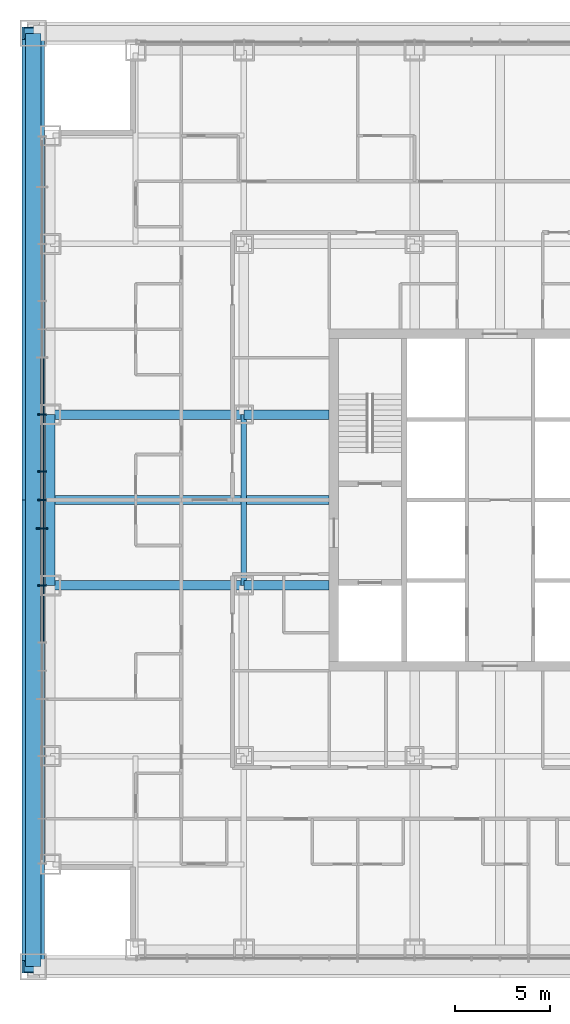
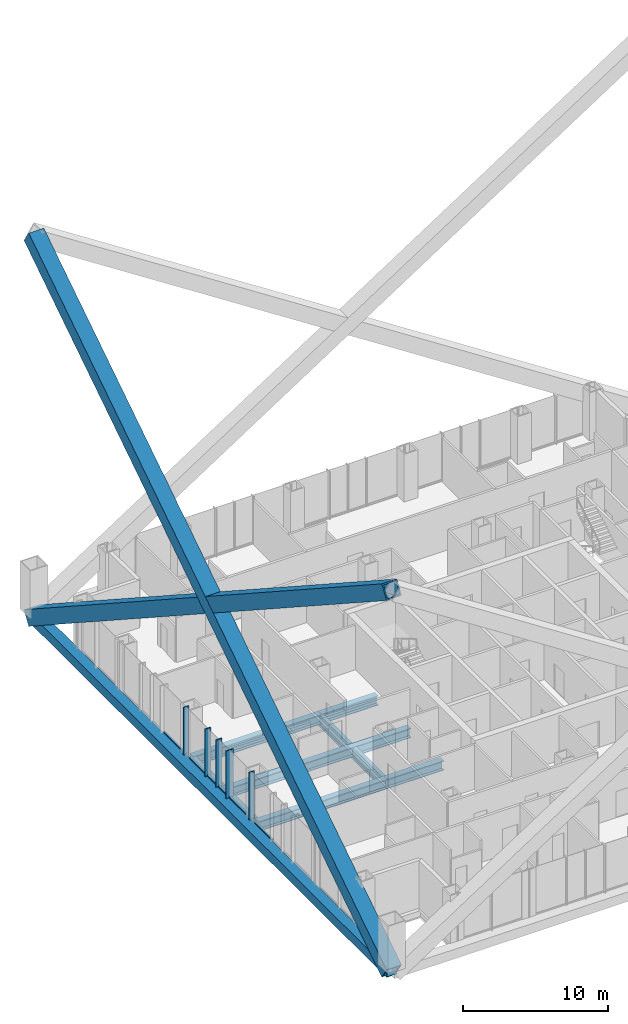
# One storey, part 4 of 21: 14 members, 7 beams, 1 element without a shape of its own.
"""IFC4 building model written with IfcOpenShell, lengths in metres."""

from ifc_helpers import new_model, si_unit, direction, frame, origin, origin_2d, place, context, subcontext, project, spatial, rectangle, hollow_rectangle, i_section, extrude, material, layer, layer_set, material_profile, profile_set, type_object, element, aggregate, save


model = new_model("IFC4")

# Units and contexts
model_context = context("Model", 3, precision=1e-05, world=origin(), true_north=direction((0.0, 1.0)))
body_context = subcontext(model_context, "Body", "Model", "MODEL_VIEW")
ifc_project = project(units=[si_unit("LENGTHUNIT", "METRE"), si_unit("AREAUNIT", "SQUARE_METRE"), si_unit("VOLUMEUNIT", "CUBIC_METRE"), si_unit("PLANEANGLEUNIT", "RADIAN"), si_unit("MASSUNIT", "GRAM", prefix="KILO")], contexts=[model_context])

# Site, building, storey
site_placement = place(None, origin())
site = spatial("IfcSite", under=ifc_project, at=site_placement, CompositionType="ELEMENT")
building_placement = place(site_placement, origin())
building = spatial("IfcBuilding", under=site, at=building_placement, Name="Malebo Sky Hospital", CompositionType="ELEMENT")
storey_placement = place(building_placement, frame((0.0, 0.0, 140.0)))
storey = spatial("IfcBuildingStorey", under=building, at=storey_placement, Name="L33", CompositionType="ELEMENT", Elevation=140.0)

# Curtain wall, members
ifc_material_1 = material(Name="Anodised aluminium, natural silver", Category="aluminium")
ifc_layer = layer(ifc_material_1, 0.25)
ifc_layer_set = layer_set([ifc_layer], Name="WARD CURTAIN WALL EAST AND WEST")
curtain_wall_type = type_object("IfcCurtainWallType", Name="WARD CURTAIN WALL EAST AND WEST", PredefinedType="NOTDEFINED", material=ifc_layer_set)
curtain_wall_placement = place(storey_placement, origin())
curtain_wall = element("IfcCurtainWall", 1, at=curtain_wall_placement, inside=storey, type_object=curtain_wall_type, Name="EW curtain wall W", PredefinedType="NOTDEFINED")
ifc_material_profile_1 = material_profile(ifc_material_1, rectangle(XDim=0.14990234375, YDim=0.10009765625, at=origin_2d()), Name="ALUMINIUM TRANSOM 150x100")
ifc_profile_set_1 = profile_set([ifc_material_profile_1], Name="Anodised aluminium, natural silver")
member_type_1 = type_object("IfcMemberType", Name="ALUMINIUM TRANSOM 150x100", PredefinedType="USERDEFINED", material=ifc_profile_set_1)
member_1_placement = place(storey_placement, frame((35.864990234375, 54.53759765625, 0.050048828125), z_axis=(0.0, 1.0, 0.0), x_axis=(-1.0, 0.0, 0.0)))
member_1 = element("IfcMember", 2, at=member_1_placement, type_object=member_type_1, Name="Transom 6", ObjectType="TRANSOM", PredefinedType="USERDEFINED", context=body_context, shape_type="SweptSolid", body=[
    extrude(rectangle(XDim=0.14990234375, YDim=0.10009765625, at=origin_2d()), origin(), (0.0, 0.0, 1.0), 2.9248046875),
])
member_2_placement = place(storey_placement, frame((35.864990234375, 57.53759765625, 0.050048828125), z_axis=(0.0, 1.0, 0.0), x_axis=(-1.0, 0.0, 0.0)))
member_2 = element("IfcMember", 3, at=member_2_placement, type_object=member_type_1, Name="Transom 7", ObjectType="TRANSOM", PredefinedType="USERDEFINED", context=body_context, shape_type="SweptSolid", body=[
    extrude(rectangle(XDim=0.14990234375, YDim=0.10009765625, at=origin_2d()), origin(), (0.0, 0.0, 1.0), 2.9248046875),
])
member_3_placement = place(storey_placement, frame((35.864990234375, 60.53759765625, 0.050048828125), z_axis=(0.0, 1.0, 0.0), x_axis=(-1.0, 0.0, 0.0)))
member_3 = element("IfcMember", 4, at=member_3_placement, type_object=member_type_1, Name="Transom 8", ObjectType="TRANSOM", PredefinedType="USERDEFINED", context=body_context, shape_type="SweptSolid", body=[
    extrude(rectangle(XDim=0.14990234375, YDim=0.10009765625, at=origin_2d()), origin(), (0.0, 0.0, 1.0), 1.4248046875),
])
member_4_placement = place(storey_placement, frame((35.864990234375, 62.03759765625, 0.050048828125), z_axis=(0.0, 1.0, 0.0), x_axis=(-1.0, 0.0, 0.0)))
member_4 = element("IfcMember", 5, at=member_4_placement, type_object=member_type_1, Name="Transom 9", ObjectType="TRANSOM", PredefinedType="USERDEFINED", context=body_context, shape_type="SweptSolid", body=[
    extrude(rectangle(XDim=0.14990234375, YDim=0.10009765625, at=origin_2d()), origin(), (0.0, 0.0, 1.0), 1.4248046875),
])
member_5_placement = place(storey_placement, frame((35.864990234375, 63.53759765625, 0.050048828125), z_axis=(0.0, 1.0, 0.0), x_axis=(-1.0, 0.0, 0.0)))
member_5 = element("IfcMember", 6, at=member_5_placement, type_object=member_type_1, Name="Transom 10", ObjectType="TRANSOM", PredefinedType="USERDEFINED", context=body_context, shape_type="SweptSolid", body=[
    extrude(rectangle(XDim=0.14990234375, YDim=0.10009765625, at=origin_2d()), origin(), (0.0, 0.0, 1.0), 2.9248046875),
])
member_6_placement = place(storey_placement, frame((35.864990234375, 66.53759765625, 0.050048828125), z_axis=(0.0, 1.0, 0.0), x_axis=(-1.0, 0.0, 0.0)))
member_6 = element("IfcMember", 7, at=member_6_placement, type_object=member_type_1, Name="Transom 11", ObjectType="TRANSOM", PredefinedType="USERDEFINED", context=body_context, shape_type="SweptSolid", body=[
    extrude(rectangle(XDim=0.14990234375, YDim=0.10009765625, at=origin_2d()), origin(), (0.0, 0.0, 1.0), 2.9248046875),
])
ifc_material_profile_2 = material_profile(ifc_material_1, rectangle(XDim=0.074951171875, YDim=0.449951171875, at=origin_2d()), Name="CW2 ALUMINIUM FIN MULLION 75x450")
ifc_profile_set_2 = profile_set([ifc_material_profile_2], Name="Anodised aluminium, natural silver")
member_type_2 = type_object("IfcMemberType", Name="CW2 ALUMINIUM FIN MULLION 75x450", PredefinedType="MULLION", material=ifc_profile_set_2)
member_7_placement = place(storey_placement, frame((35.864990234375, 57.5, 0.0), z_axis=(0.0, 0.0, 1.0), x_axis=(0.0, 1.0, 0.0)))
member_7 = element("IfcMember", 8, at=member_7_placement, type_object=member_type_2, Name="Fin mullion 7", PredefinedType="MULLION", context=body_context, shape_type="SweptSolid", body=[
    extrude(rectangle(XDim=0.074951171875, YDim=0.449951171875, at=origin_2d()), origin(), (0.0, 0.0, 1.0), 4.0),
])
member_8_placement = place(storey_placement, frame((35.864990234375, 62.0, 0.0), z_axis=(0.0, 0.0, 1.0), x_axis=(0.0, 1.0, 0.0)))
member_8 = element("IfcMember", 9, at=member_8_placement, type_object=member_type_2, Name="Fin mullion 9", PredefinedType="MULLION", context=body_context, shape_type="SweptSolid", body=[
    extrude(rectangle(XDim=0.074951171875, YDim=0.449951171875, at=origin_2d()), origin(), (0.0, 0.0, 1.0), 4.0),
])
member_9_placement = place(storey_placement, frame((35.864990234375, 63.5, 0.0), z_axis=(0.0, 0.0, 1.0), x_axis=(0.0, 1.0, 0.0)))
member_9 = element("IfcMember", 10, at=member_9_placement, type_object=member_type_2, Name="Fin mullion 10", PredefinedType="MULLION", context=body_context, shape_type="SweptSolid", body=[
    extrude(rectangle(XDim=0.074951171875, YDim=0.449951171875, at=origin_2d()), origin(), (0.0, 0.0, 1.0), 4.0),
])
member_10_placement = place(storey_placement, frame((35.864990234375, 66.5, 0.0), z_axis=(0.0, 0.0, 1.0), x_axis=(0.0, 1.0, 0.0)))
member_10 = element("IfcMember", 11, at=member_10_placement, type_object=member_type_2, Name="Fin mullion 11", PredefinedType="MULLION", context=body_context, shape_type="SweptSolid", body=[
    extrude(rectangle(XDim=0.074951171875, YDim=0.449951171875, at=origin_2d()), origin(), (0.0, 0.0, 1.0), 4.0),
])
ifc_material_profile_3 = material_profile(ifc_material_1, rectangle(XDim=0.074951171875, YDim=0.60009765625, at=origin_2d()), Name="CW2 ALUMINIUM FIN MULLION 75x600")
ifc_profile_set_3 = profile_set([ifc_material_profile_3], Name="Anodised aluminium, natural silver")
member_type_3 = type_object("IfcMemberType", Name="CW2 ALUMINIUM FIN MULLION 75x600", PredefinedType="MULLION", material=ifc_profile_set_3)
member_11_placement = place(storey_placement, frame((35.864990234375, 60.5, 0.0), z_axis=(0.0, 0.0, 1.0), x_axis=(0.0, 1.0, 0.0)))
member_11 = element("IfcMember", 12, at=member_11_placement, type_object=member_type_3, Name="Fin mullion 8", PredefinedType="MULLION", context=body_context, shape_type="SweptSolid", body=[
    extrude(rectangle(XDim=0.074951171875, YDim=0.60009765625, at=origin_2d()), origin(), (0.0, 0.0, 1.0), 4.0),
])
aggregate(curtain_wall, [member_7, member_11, member_8, member_9, member_10, member_1, member_2, member_3, member_4, member_5, member_6])

# Beams
ifc_material_2 = material(Name="Steel S460", Category="steel")
ifc_material_profile_4 = material_profile(ifc_material_2, hollow_rectangle(XDim=0.5, YDim=0.5, WallThickness=0.030029296875, at=origin_2d()), Name="BOX 500x500x30")
ifc_profile_set_4 = profile_set([ifc_material_profile_4], Name="Steel S460")
beam_type_1 = type_object("IfcBeamType", Name="EDGE BEAM BOX 500x500x30", PredefinedType="BEAM", material=ifc_profile_set_4)
beam_1_placement = place(storey_placement, frame((36.300048828125, 57.5, -0.5), z_axis=(0.0, 1.0, 0.0), x_axis=(-1.0, 0.0, 0.0)))
element("IfcBeam", 13, at=beam_1_placement, inside=storey, type_object=beam_type_1, Name="Beam 002 L33", PredefinedType="BEAM", context=body_context, shape_type="SweptSolid", body=[
    extrude(hollow_rectangle(XDim=0.5, YDim=0.5, WallThickness=0.030029296875, at=origin_2d()), origin(), (0.0, 0.0, 1.0), 9.0),
])
ifc_material_3 = material(Name="Steel S355", Category="steel")
ifc_material_profile_5 = material_profile(ifc_material_3, i_section(OverallWidth=0.5, OverallDepth=0.800048828125, WebThickness=0.030029296875, FlangeThickness=0.050048828125, at=origin_2d()), Name="PG 800x500x30x50")
ifc_profile_set_5 = profile_set([ifc_material_profile_5], Name="Steel S355")
beam_type_2 = type_object("IfcBeamType", Name="FLOOR BEAM PG 800x500x30x50", PredefinedType="BEAM", material=ifc_profile_set_5)
beam_2_placement = place(storey_placement, frame((36.300048828125, 57.5, -0.64990234375), z_axis=(1.0, 0.0, 0.0), x_axis=(0.0, 1.0, 0.0)))
element("IfcBeam", 14, at=beam_2_placement, inside=storey, type_object=beam_type_2, Name="Beam 046 L33", PredefinedType="BEAM", context=body_context, shape_type="SweptSolid", body=[
    extrude(i_section(OverallWidth=0.5, OverallDepth=0.800048828125, WebThickness=0.030029296875, FlangeThickness=0.050048828125, at=origin_2d()), origin(), (0.0, 0.0, 1.0), 10.199951171875),
])
beam_3_placement = place(storey_placement, frame((46.5, 57.5, -0.64990234375), z_axis=(1.0, 0.0, 0.0), x_axis=(0.0, 1.0, 0.0)))
element("IfcBeam", 15, at=beam_3_placement, inside=storey, type_object=beam_type_2, Name="Beam 047 L33", PredefinedType="BEAM", context=body_context, shape_type="SweptSolid", body=[
    extrude(i_section(OverallWidth=0.5, OverallDepth=0.800048828125, WebThickness=0.030029296875, FlangeThickness=0.050048828125, at=origin_2d()), origin(), (0.0, 0.0, 1.0), 4.5),
])
beam_4_placement = place(storey_placement, frame((36.300048828125, 62.0, -0.64990234375), z_axis=(1.0, 0.0, 0.0), x_axis=(0.0, 1.0, 0.0)))
element("IfcBeam", 16, at=beam_4_placement, inside=storey, type_object=beam_type_2, Name="Beam 050 L33", PredefinedType="BEAM", context=body_context, shape_type="SweptSolid", body=[
    extrude(i_section(OverallWidth=0.5, OverallDepth=0.800048828125, WebThickness=0.030029296875, FlangeThickness=0.050048828125, at=origin_2d()), origin(), (0.0, 0.0, 1.0), 14.699951171875),
])
beam_5_placement = place(storey_placement, frame((36.300048828125, 66.5, -0.64990234375), z_axis=(1.0, 0.0, 0.0), x_axis=(0.0, 1.0, 0.0)))
element("IfcBeam", 17, at=beam_5_placement, inside=storey, type_object=beam_type_2, Name="Beam 052 L33", PredefinedType="BEAM", context=body_context, shape_type="SweptSolid", body=[
    extrude(i_section(OverallWidth=0.5, OverallDepth=0.800048828125, WebThickness=0.030029296875, FlangeThickness=0.050048828125, at=origin_2d()), origin(), (0.0, 0.0, 1.0), 10.199951171875),
])
beam_6_placement = place(storey_placement, frame((46.5, 66.5, -0.64990234375), z_axis=(1.0, 0.0, 0.0), x_axis=(0.0, 1.0, 0.0)))
element("IfcBeam", 18, at=beam_6_placement, inside=storey, type_object=beam_type_2, Name="Beam 053 L33", PredefinedType="BEAM", context=body_context, shape_type="SweptSolid", body=[
    extrude(i_section(OverallWidth=0.5, OverallDepth=0.800048828125, WebThickness=0.030029296875, FlangeThickness=0.050048828125, at=origin_2d()), origin(), (0.0, 0.0, 1.0), 4.5),
])

# Members
ifc_material_profile_6 = material_profile(ifc_material_2, hollow_rectangle(XDim=1.199951171875, YDim=1.199951171875, WallThickness=0.10009765625, at=origin_2d()), Name="BOX 1200x1200x100")
ifc_profile_set_6 = profile_set([ifc_material_profile_6], Name="Steel S460")
member_type_4 = type_object("IfcMemberType", Name="MEGA BRACE BOX 1200x1200x100", PredefinedType="BRACE", material=ifc_profile_set_6)
for number, where, z_axis, x_axis, name in (
    (19, (35.39990234375, 86.60009765625, -0.39990234375), (0.0, -0.838288860392, 0.545226362663), (1.0, 0.0, 0.0), "Mega brace B2W1 L33-L41"),
    (20, (35.39990234375, 37.39990234375, -0.39990234375), (0.0, 0.838288860392, 0.545226362663), (-1.0, 0.0, 0.0), "Mega brace B2W2 L33-L41"),
):
    element("IfcMember", number, at=place(storey_placement, frame(where, z_axis=z_axis, x_axis=x_axis)), inside=storey, type_object=member_type_4, Name=name, PredefinedType="BRACE", context=body_context, shape_type="SweptSolid", body=[
        extrude(hollow_rectangle(XDim=1.199951171875, YDim=1.199951171875, WallThickness=0.10009765625, at=origin_2d()), origin(), (0.0, 0.0, 1.0), 58.691162109375),
    ])
ifc_material_profile_7 = material_profile(ifc_material_2, hollow_rectangle(XDim=0.800048828125, YDim=0.800048828125, WallThickness=0.0400390625, at=origin_2d()), Name="BOX 800x800x40")
ifc_profile_set_7 = profile_set([ifc_material_profile_7], Name="Steel S460")
member_type_5 = type_object("IfcMemberType", Name="MEGA TIE BOX 800x800x40", PredefinedType="CHORD", material=ifc_profile_set_7)
member_12_placement = place(storey_placement, frame((35.39990234375, 86.60009765625, -0.39990234375), z_axis=(0.0, -1.0, 0.0), x_axis=(1.0, 0.0, 0.0)))
element("IfcMember", 21, at=member_12_placement, inside=storey, type_object=member_type_5, Name="Mega tie BW L33", PredefinedType="CHORD", context=body_context, shape_type="SweptSolid", body=[
    extrude(hollow_rectangle(XDim=0.800048828125, YDim=0.800048828125, WallThickness=0.0400390625, at=origin_2d()), origin(), (0.0, 0.0, 1.0), 49.2001953125),
])

# Beam
ifc_material_profile_8 = material_profile(ifc_material_3, i_section(OverallWidth=0.300048828125, OverallDepth=1.0, WebThickness=0.01904296875, FlangeThickness=0.035888671875, FilletRadius=0.030029296875, at=origin_2d()), Name="HEB 1000")
ifc_profile_set_8 = profile_set([ifc_material_profile_8], Name="Steel S355")
beam_type_3 = type_object("IfcBeamType", Name="RING GIRDER HEB 1000", PredefinedType="BEAM", material=ifc_profile_set_8)
beam_7_placement = place(storey_placement, frame((46.5, 57.5, -0.75), z_axis=(0.0, 1.0, 0.0), x_axis=(-1.0, 0.0, 0.0)))
element("IfcBeam", 22, at=beam_7_placement, inside=storey, type_object=beam_type_3, Name="Beam 009 L33", PredefinedType="BEAM", context=body_context, shape_type="SweptSolid", body=[
    extrude(i_section(OverallWidth=0.300048828125, OverallDepth=1.0, WebThickness=0.01904296875, FlangeThickness=0.035888671875, FilletRadius=0.030029296875, at=origin_2d()), origin(), (0.0, 0.0, 1.0), 9.0),
])

save(model, "model.ifc")
